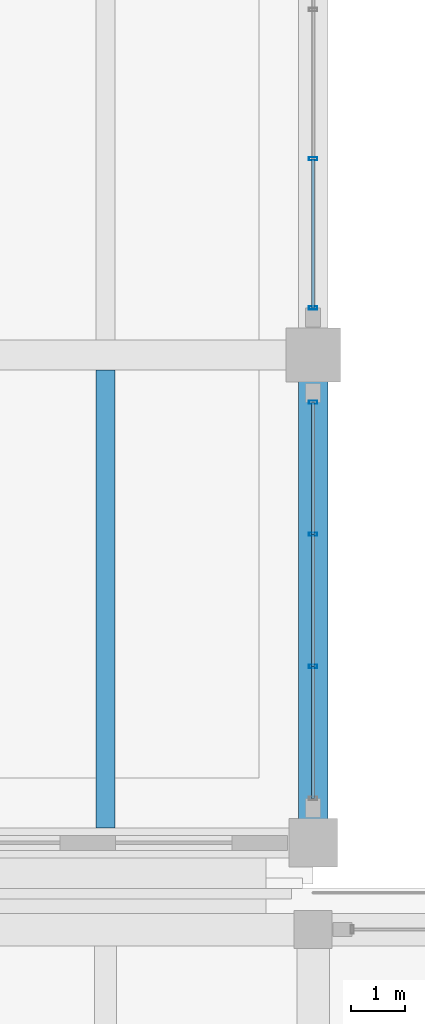
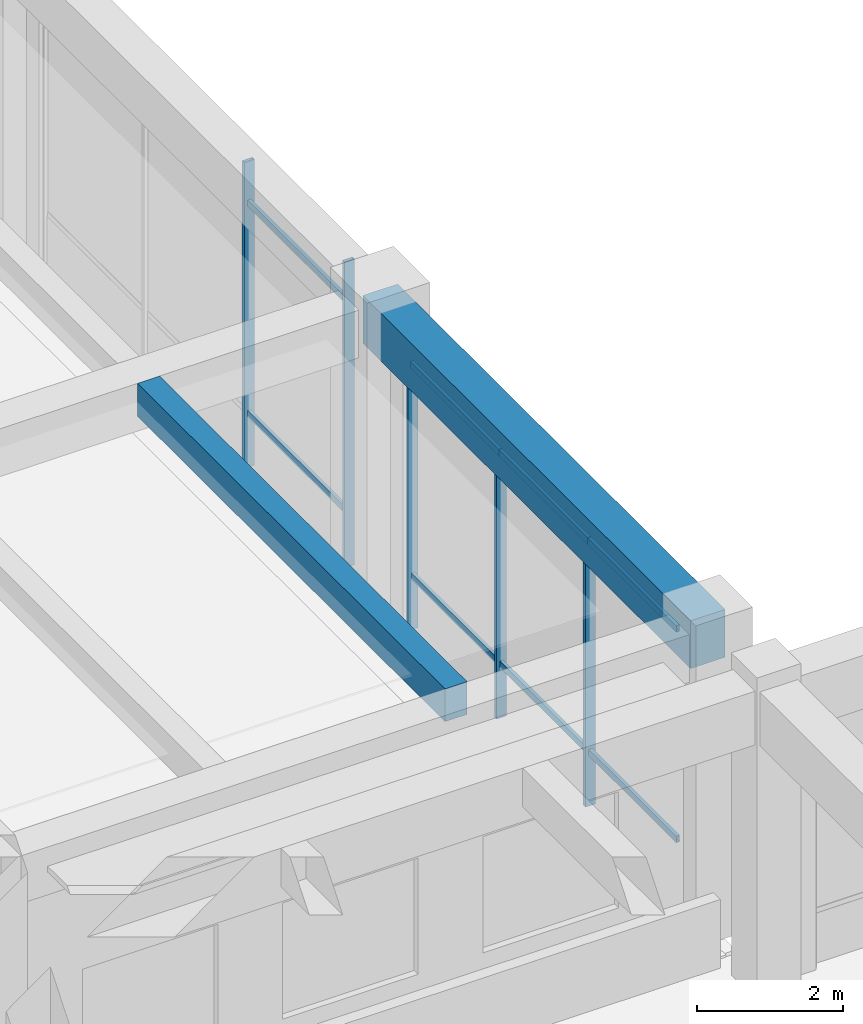
# One storey, part 67 of 148: 13 members, 2 beams, 2 elements without a shape of their own.
"""IFC4 building model written with IfcOpenShell, lengths in metres."""

from ifc_helpers import new_model, si_unit, direction, frame, origin, origin_2d, place, context, subcontext, project, spatial, rectangle, hollow_rectangle, extrude, material, material_profile, profile_set, type_object, element, aggregate, save


model = new_model("IFC4")

# Units and contexts
model_context = context("Model", 3, precision=1e-05, world=origin(), true_north=direction((0.0, 1.0)))
body_context = subcontext(model_context, "Body", "Model", "MODEL_VIEW")
ifc_project = project(units=[si_unit("LENGTHUNIT", "METRE"), si_unit("AREAUNIT", "SQUARE_METRE"), si_unit("VOLUMEUNIT", "CUBIC_METRE"), si_unit("PLANEANGLEUNIT", "RADIAN"), si_unit("MASSUNIT", "GRAM", prefix="KILO")], contexts=[model_context])

# Site, building, storey
site_placement = place(None, origin())
site = spatial("IfcSite", under=ifc_project, at=site_placement, CompositionType="ELEMENT")
building_placement = place(site_placement, origin())
building = spatial("IfcBuilding", under=site, at=building_placement, Name="Ologun Quay Terminus", CompositionType="ELEMENT")
storey_placement = place(building_placement, frame((0.0, 0.0, 8.39990234375)))
storey = spatial("IfcBuildingStorey", under=building, at=storey_placement, Name="L02", CompositionType="ELEMENT", Elevation=8.39990234375)

# Curtain wall, members
ifc_material_1 = material(Name="Aluminium 6063-T6", Category="aluminium")
curtain_wall_type = type_object("IfcCurtainWallType", Name="Rain-Garden West Courtyard Curtain Wall L02 8200x5000", PredefinedType="USERDEFINED", material=ifc_material_1)
curtain_wall_1_placement = place(storey_placement, origin())
curtain_wall_1 = element("IfcCurtainWall", 1, at=curtain_wall_1_placement, inside=storey, type_object=curtain_wall_type, Name="CW-15 Curtain Wall CW-L02-105", ObjectType="UNITISED CURTAIN WALL", PredefinedType="USERDEFINED")
ifc_material_2 = material(Name="Aluminium 6063-T6", Category="aluminium")
ifc_material_profile_1 = material_profile(ifc_material_2, hollow_rectangle(XDim=0.06005859375, YDim=0.159912109375, WallThickness=0.00390625, at=origin_2d()), Name="ALU 160x60x4")
ifc_profile_set_1 = profile_set([ifc_material_profile_1], Name="Aluminium 6063-T6")
member_type_1 = type_object("IfcMemberType", Name="Courtyard Screen Mullion 160x65", PredefinedType="MULLION", material=ifc_profile_set_1)
member_1_placement = place(storey_placement, frame((69.0, 89.056640625, 0.0), z_axis=(0.0, 0.0, 1.0), x_axis=(0.0, 1.0, 0.0)))
member_1 = element("IfcMember", 2, at=member_1_placement, type_object=member_type_1, Name="CW-L02-105 Mullion 2", PredefinedType="MULLION", context=body_context, shape_type="SweptSolid", body=[
    extrude(hollow_rectangle(XDim=0.06005859375, YDim=0.159912109375, WallThickness=0.00390625, at=origin_2d()), origin(), (0.0, 0.0, 1.0), 5.130126953125),
])
member_2_placement = place(storey_placement, frame((69.0, 91.493408203125, 0.0), z_axis=(0.0, 0.0, 1.0), x_axis=(0.0, 1.0, 0.0)))
member_2 = element("IfcMember", 3, at=member_2_placement, type_object=member_type_1, Name="CW-L02-105 Mullion 3", PredefinedType="MULLION", context=body_context, shape_type="SweptSolid", body=[
    extrude(hollow_rectangle(XDim=0.06005859375, YDim=0.159912109375, WallThickness=0.00390625, at=origin_2d()), origin(), (0.0, 0.0, 1.0), 5.130126953125),
])
member_3_placement = place(storey_placement, frame((69.0, 93.929931640625, 0.0), z_axis=(0.0, 0.0, 1.0), x_axis=(0.0, 1.0, 0.0)))
member_3 = element("IfcMember", 4, at=member_3_placement, type_object=member_type_1, Name="CW-L02-105 Mullion 4", PredefinedType="MULLION", context=body_context, shape_type="SweptSolid", body=[
    extrude(hollow_rectangle(XDim=0.06005859375, YDim=0.159912109375, WallThickness=0.00390625, at=origin_2d()), origin(), (0.0, 0.0, 1.0), 5.130126953125),
])

curtain_wall_2_placement = place(storey_placement, origin())
curtain_wall_2 = element("IfcCurtainWall", 5, at=curtain_wall_2_placement, inside=storey, type_object=curtain_wall_type, Name="CW-15 Curtain Wall CW-L02-106", ObjectType="UNITISED CURTAIN WALL", PredefinedType="USERDEFINED")
member_4_placement = place(storey_placement, frame((69.0, 95.669921875, 0.0), z_axis=(0.0, 0.0, 1.0), x_axis=(0.0, 1.0, 0.0)))
member_4 = element("IfcMember", 6, at=member_4_placement, type_object=member_type_1, Name="CW-L02-106 Mullion 1", PredefinedType="MULLION", context=body_context, shape_type="SweptSolid", body=[
    extrude(hollow_rectangle(XDim=0.06005859375, YDim=0.159912109375, WallThickness=0.00390625, at=origin_2d()), origin(), (0.0, 0.0, 1.0), 5.130126953125),
])
member_5_placement = place(storey_placement, frame((69.0, 98.42333984375, 0.0), z_axis=(0.0, 0.0, 1.0), x_axis=(0.0, 1.0, 0.0)))
member_5 = element("IfcMember", 7, at=member_5_placement, type_object=member_type_1, Name="CW-L02-106 Mullion 2", PredefinedType="MULLION", context=body_context, shape_type="SweptSolid", body=[
    extrude(hollow_rectangle(XDim=0.06005859375, YDim=0.159912109375, WallThickness=0.00390625, at=origin_2d()), origin(), (0.0, 0.0, 1.0), 5.130126953125),
])

# Member
ifc_material_3 = material(Name="Aluminium 6063-T6", Category="aluminium")
ifc_material_profile_2 = material_profile(ifc_material_3, hollow_rectangle(XDim=0.054931640625, YDim=0.110107421875, WallThickness=0.00390625, at=origin_2d()), Name="ALU 110x55x4")
ifc_profile_set_2 = profile_set([ifc_material_profile_2], Name="Aluminium 6063-T6")
member_type_2 = type_object("IfcMemberType", Name="Courtyard Screen Transom 110x55", PredefinedType="USERDEFINED", material=ifc_profile_set_2)
member_6_placement = place(storey_placement, frame((69.0, 86.6201171875, 0.900146484375), z_axis=(0.0, 1.0, 0.0), x_axis=(-1.0, 0.0, 0.0)))
member_6 = element("IfcMember", 8, at=member_6_placement, type_object=member_type_2, Name="CW-L02-105 Transom B1-1", ObjectType="TRANSOM", PredefinedType="USERDEFINED", context=body_context, shape_type="SweptSolid", body=[
    extrude(hollow_rectangle(XDim=0.054931640625, YDim=0.110107421875, WallThickness=0.00390625, at=origin_2d()), origin(), (0.0, 0.0, 1.0), 2.4365234375),
])

member_7_placement = place(storey_placement, frame((69.0, 86.6201171875, 4.43017578125), z_axis=(0.0, 1.0, 0.0), x_axis=(-1.0, 0.0, 0.0)))
member_7 = element("IfcMember", 9, at=member_7_placement, type_object=member_type_2, Name="CW-L02-105 Transom B1-2", ObjectType="TRANSOM", PredefinedType="USERDEFINED", context=body_context, shape_type="SweptSolid", body=[
    extrude(hollow_rectangle(XDim=0.054931640625, YDim=0.110107421875, WallThickness=0.00390625, at=origin_2d()), origin(), (0.0, 0.0, 1.0), 2.4365234375),
])

member_8_placement = place(storey_placement, frame((69.0, 89.056640625, 0.900146484375), z_axis=(0.0, 1.0, 0.0), x_axis=(-1.0, 0.0, 0.0)))
member_8 = element("IfcMember", 10, at=member_8_placement, type_object=member_type_2, Name="CW-L02-105 Transom B2-1", ObjectType="TRANSOM", PredefinedType="USERDEFINED", context=body_context, shape_type="SweptSolid", body=[
    extrude(hollow_rectangle(XDim=0.054931640625, YDim=0.110107421875, WallThickness=0.00390625, at=origin_2d()), origin(), (0.0, 0.0, 1.0), 2.436767578125),
])

member_9_placement = place(storey_placement, frame((69.0, 89.056640625, 4.43017578125), z_axis=(0.0, 1.0, 0.0), x_axis=(-1.0, 0.0, 0.0)))
member_9 = element("IfcMember", 11, at=member_9_placement, type_object=member_type_2, Name="CW-L02-105 Transom B2-2", ObjectType="TRANSOM", PredefinedType="USERDEFINED", context=body_context, shape_type="SweptSolid", body=[
    extrude(hollow_rectangle(XDim=0.054931640625, YDim=0.110107421875, WallThickness=0.00390625, at=origin_2d()), origin(), (0.0, 0.0, 1.0), 2.436767578125),
])

member_10_placement = place(storey_placement, frame((69.0, 91.493408203125, 0.900146484375), z_axis=(0.0, 1.0, 0.0), x_axis=(-1.0, 0.0, 0.0)))
member_10 = element("IfcMember", 12, at=member_10_placement, type_object=member_type_2, Name="CW-L02-105 Transom B3-1", ObjectType="TRANSOM", PredefinedType="USERDEFINED", context=body_context, shape_type="SweptSolid", body=[
    extrude(hollow_rectangle(XDim=0.054931640625, YDim=0.110107421875, WallThickness=0.00390625, at=origin_2d()), origin(), (0.0, 0.0, 1.0), 2.4365234375),
])

member_11_placement = place(storey_placement, frame((69.0, 91.493408203125, 4.43017578125), z_axis=(0.0, 1.0, 0.0), x_axis=(-1.0, 0.0, 0.0)))
member_11 = element("IfcMember", 13, at=member_11_placement, type_object=member_type_2, Name="CW-L02-105 Transom B3-2", ObjectType="TRANSOM", PredefinedType="USERDEFINED", context=body_context, shape_type="SweptSolid", body=[
    extrude(hollow_rectangle(XDim=0.054931640625, YDim=0.110107421875, WallThickness=0.00390625, at=origin_2d()), origin(), (0.0, 0.0, 1.0), 2.4365234375),
])

aggregate(curtain_wall_1, [member_1, member_2, member_3, member_6, member_7, member_8, member_9, member_10, member_11])

member_12_placement = place(storey_placement, frame((69.0, 95.669921875, 0.900146484375), z_axis=(0.0, 1.0, 0.0), x_axis=(-1.0, 0.0, 0.0)))
member_12 = element("IfcMember", 14, at=member_12_placement, type_object=member_type_2, Name="CW-L02-106 Transom B1-1", ObjectType="TRANSOM", PredefinedType="USERDEFINED", context=body_context, shape_type="SweptSolid", body=[
    extrude(hollow_rectangle(XDim=0.054931640625, YDim=0.110107421875, WallThickness=0.00390625, at=origin_2d()), origin(), (0.0, 0.0, 1.0), 2.75341796875),
])

member_13_placement = place(storey_placement, frame((69.0, 95.669921875, 4.43017578125), z_axis=(0.0, 1.0, 0.0), x_axis=(-1.0, 0.0, 0.0)))
member_13 = element("IfcMember", 15, at=member_13_placement, type_object=member_type_2, Name="CW-L02-106 Transom B1-2", ObjectType="TRANSOM", PredefinedType="USERDEFINED", context=body_context, shape_type="SweptSolid", body=[
    extrude(hollow_rectangle(XDim=0.054931640625, YDim=0.110107421875, WallThickness=0.00390625, at=origin_2d()), origin(), (0.0, 0.0, 1.0), 2.75341796875),
])

aggregate(curtain_wall_2, [member_4, member_5, member_12, member_13])

# Beams
ifc_material_4 = material(Name="Concrete C40/50", Category="concrete")
ifc_material_profile_3 = material_profile(ifc_material_4, rectangle(XDim=0.550048828125, YDim=0.800048828125, at=origin_2d()), Name="RC 550x800")
ifc_profile_set_3 = profile_set([ifc_material_profile_3], Name="Concrete C40/50")
beam_type_1 = type_object("IfcBeamType", Name="Courtyard Wing Primary Girder 550x800", PredefinedType="BEAM", material=ifc_profile_set_3)
beam_1_placement = place(storey_placement, frame((69.0, 85.800048828125, 4.75), z_axis=(0.0, 1.0, 0.0), x_axis=(-1.0, 0.0, 0.0)))
element("IfcBeam", 16, at=beam_1_placement, inside=storey, type_object=beam_type_1, Name="B4 Beam 7/G2 L02", PredefinedType="BEAM", context=body_context, shape_type="SweptSolid", body=[
    extrude(rectangle(XDim=0.550048828125, YDim=0.800048828125, at=origin_2d()), origin(), (0.0, 0.0, 1.0), 9.0),
])
ifc_material_5 = material(Name="Concrete C40/50", Category="concrete")
ifc_material_profile_4 = material_profile(ifc_material_5, rectangle(XDim=0.35009765625, YDim=0.550048828125, at=origin_2d()), Name="RC 350x550")
ifc_profile_set_4 = profile_set([ifc_material_profile_4], Name="Concrete C40/50")
beam_type_2 = type_object("IfcBeamType", Name="Courtyard Wing Secondary Joist 350x550", PredefinedType="JOIST", material=ifc_profile_set_4)
beam_2_placement = place(storey_placement, frame((65.166748046875, 86.074951171875, 4.875), z_axis=(0.0, 1.0, 0.0), x_axis=(-1.0, 0.0, 0.0)))
element("IfcBeam", 17, at=beam_2_placement, inside=storey, type_object=beam_type_2, Name="J2 Beam 6/G2 L02", PredefinedType="JOIST", context=body_context, shape_type="SweptSolid", body=[
    extrude(rectangle(XDim=0.35009765625, YDim=0.550048828125, at=origin_2d()), origin(), (0.0, 0.0, 1.0), 8.449951171875),
])

save(model, "model.ifc")
